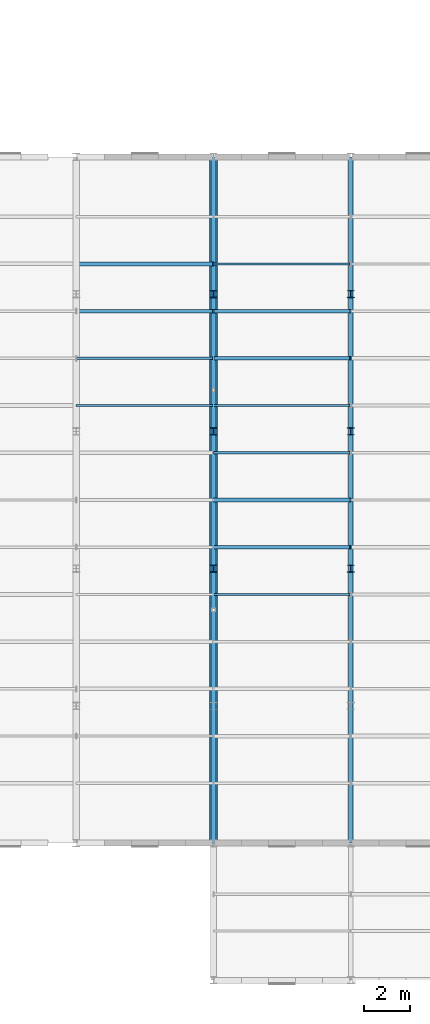
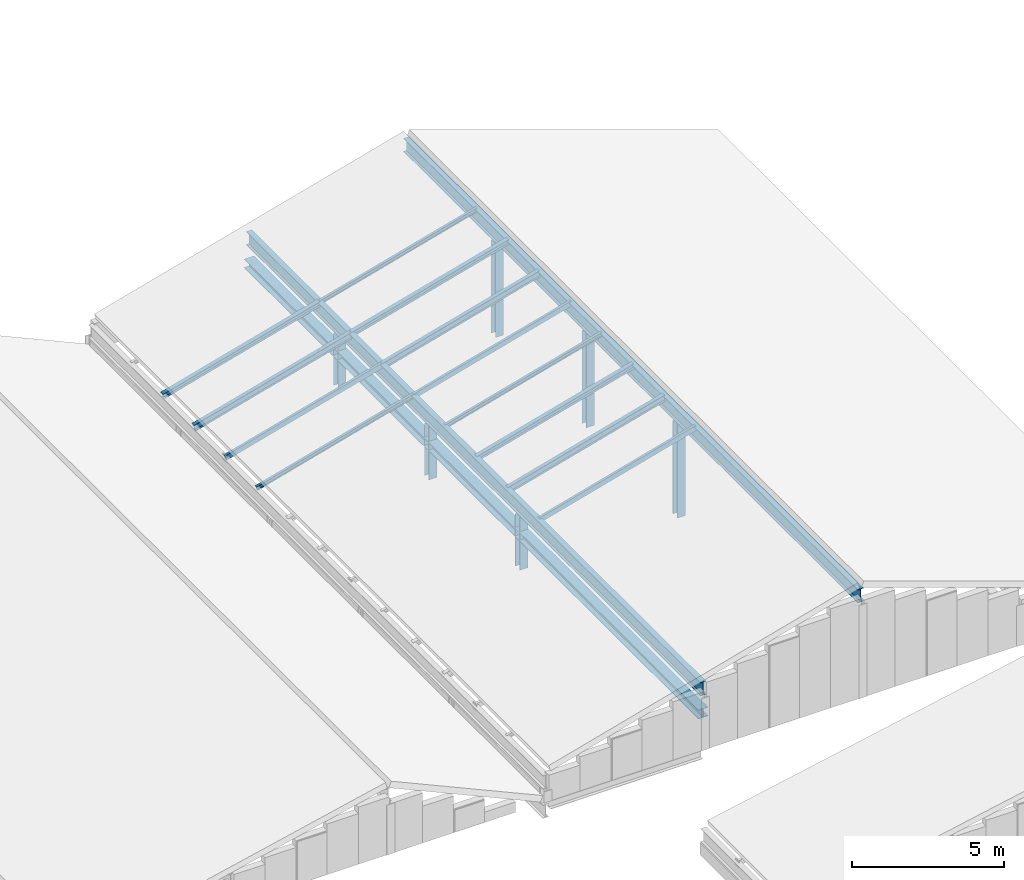
# One storey, part 12 of 74: 19 members, 2 beams.
"""IFC4 building model written with IfcOpenShell, lengths in metres."""

from ifc_helpers import new_model, si_unit, direction, frame, origin, origin_2d, place, context, subcontext, project, spatial, hollow_rectangle, i_section, extrude, material, material_profile, profile_set, type_object, element, save


model = new_model("IFC4")

# Units and contexts
model_context = context("Model", 3, precision=1e-05, world=origin(), true_north=direction((0.0, 1.0)))
body_context = subcontext(model_context, "Body", "Model", "MODEL_VIEW")
ifc_project = project(units=[si_unit("LENGTHUNIT", "METRE"), si_unit("AREAUNIT", "SQUARE_METRE"), si_unit("VOLUMEUNIT", "CUBIC_METRE"), si_unit("PLANEANGLEUNIT", "RADIAN"), si_unit("MASSUNIT", "GRAM", prefix="KILO")], contexts=[model_context])

# Site, building, storey
site_placement = place(None, origin())
site = spatial("IfcSite", under=ifc_project, at=site_placement, CompositionType="ELEMENT")
building_placement = place(site_placement, origin())
building = spatial("IfcBuilding", under=site, at=building_placement, Name="Siltcreek Boulevard Central Fire Station", CompositionType="ELEMENT")
storey_placement = place(building_placement, frame((0.0, 0.0, 25.199951171875)))
storey = spatial("IfcBuildingStorey", under=building, at=storey_placement, Name="RF", CompositionType="ELEMENT", Elevation=25.199951171875)

# Beams
ifc_material_1 = material(Name="Structural steel ASTM A992 Gr50", Category="steel")
ifc_material_profile_1 = material_profile(ifc_material_1, i_section(OverallWidth=0.2109375, OverallDepth=0.5390625, WebThickness=0.01171875, FlangeThickness=0.018798828125, at=origin_2d()), Name="W530X109")
ifc_profile_set_1 = profile_set([ifc_material_profile_1], Name="Structural steel ASTM A992 Gr50")
beam_type = type_object("IfcBeamType", Name="BM_W530X109", PredefinedType="BEAM", material=ifc_profile_set_1)
for number, where, z_axis, x_axis, name in (
    (1, (90.0, 24.010009765625, -8.831298828125), (0.0, 1.0, 0.0), (-1.0, 0.0, 0.0), "Pitched roof rafter beam RFB-023"),
    (2, (96.0, 24.010009765625, -7.18115234375), (0.0, 1.0, 0.0), (-1.0, 0.0, 0.0), "Pitched roof rafter beam RFB-024"),
):
    element("IfcBeam", number, at=place(storey_placement, frame(where, z_axis=z_axis, x_axis=x_axis)), inside=storey, type_object=beam_type, Name=name, PredefinedType="BEAM", context=body_context, shape_type="SweptSolid", body=[
        extrude(i_section(OverallWidth=0.2109375, OverallDepth=0.5390625, WebThickness=0.01171875, FlangeThickness=0.018798828125, at=origin_2d()), origin(), (0.0, 0.0, 1.0), 29.97998046875),
    ])

# Members
ifc_material_profile_2 = material_profile(ifc_material_1, i_section(OverallWidth=0.304931640625, OverallDepth=0.30810546875, WebThickness=0.010009765625, FlangeThickness=0.015380859375, at=origin_2d()), Name="W310X97")
ifc_profile_set_2 = profile_set([ifc_material_profile_2], Name="Structural steel ASTM A992 Gr50")
member_type_1 = type_object("IfcMemberType", Name="CH_W310X97", PredefinedType="CHORD", material=ifc_profile_set_2)
for number, where, z_axis, x_axis, name in (
    (3, (90.0, 36.0, -11.199951171875), (0.0, 0.0, 1.0), (1.0, 0.0, 0.0), "Roof bearing truss post 0740"),
    (4, (90.0, 42.0, -11.199951171875), (0.0, 0.0, 1.0), (1.0, 0.0, 0.0), "Roof bearing truss post 0741"),
    (5, (90.0, 48.0, -11.199951171875), (0.0, 0.0, 1.0), (1.0, 0.0, 0.0), "Roof bearing truss post 0742"),
):
    element("IfcMember", number, at=place(storey_placement, frame(where, z_axis=z_axis, x_axis=x_axis)), inside=storey, type_object=member_type_1, Name=name, PredefinedType="CHORD", context=body_context, shape_type="SweptSolid", body=[
        extrude(i_section(OverallWidth=0.304931640625, OverallDepth=0.30810546875, WebThickness=0.010009765625, FlangeThickness=0.015380859375, at=origin_2d()), origin(), (0.0, 0.0, 1.0), 2.103271484375),
    ])
for number, where, z_axis, x_axis, name in (
    (6, (96.0, 36.0, -11.199951171875), (0.0, 0.0, 1.0), (1.0, 0.0, 0.0), "Roof bearing truss post 0747"),
    (7, (96.0, 42.0, -11.199951171875), (0.0, 0.0, 1.0), (1.0, 0.0, 0.0), "Roof bearing truss post 0748"),
    (8, (96.0, 48.0, -11.199951171875), (0.0, 0.0, 1.0), (1.0, 0.0, 0.0), "Roof bearing truss post 0749"),
):
    element("IfcMember", number, at=place(storey_placement, frame(where, z_axis=z_axis, x_axis=x_axis)), inside=storey, type_object=member_type_1, Name=name, PredefinedType="CHORD", context=body_context, shape_type="SweptSolid", body=[
        extrude(i_section(OverallWidth=0.304931640625, OverallDepth=0.30810546875, WebThickness=0.010009765625, FlangeThickness=0.015380859375, at=origin_2d()), origin(), (0.0, 0.0, 1.0), 3.753173828125),
    ])
ifc_material_profile_3 = material_profile(ifc_material_1, i_section(OverallWidth=0.368896484375, OverallDepth=0.35595703125, WebThickness=0.01123046875, FlangeThickness=0.01806640625, at=origin_2d()), Name="W360X134")
ifc_profile_set_3 = profile_set([ifc_material_profile_3], Name="Structural steel ASTM A992 Gr50")
member_type_2 = type_object("IfcMemberType", Name="CH_W360X134", PredefinedType="CHORD", material=ifc_profile_set_3)
member_placement = place(storey_placement, frame((90.0, 24.010009765625, -9.82080078125), z_axis=(0.0, 1.0, 0.0), x_axis=(-1.0, 0.0, 0.0)))
element("IfcMember", 9, at=member_placement, inside=storey, type_object=member_type_2, Name="Roof truss bottom chord CH-003", PredefinedType="CHORD", context=body_context, shape_type="SweptSolid", body=[
    extrude(i_section(OverallWidth=0.368896484375, OverallDepth=0.35595703125, WebThickness=0.01123046875, FlangeThickness=0.01806640625, at=origin_2d()), origin(), (0.0, 0.0, 1.0), 29.97998046875),
])
ifc_material_2 = material(Name="Structural steel ASTM A500 GrC", Category="steel")
ifc_material_profile_4 = material_profile(ifc_material_2, hollow_rectangle(XDim=0.10009765625, YDim=0.199951171875, WallThickness=0.00634765625, at=origin_2d()), Name="HSS200X100X6.4")
ifc_profile_set_4 = profile_set([ifc_material_profile_4], Name="Structural steel ASTM A500 GrC")
member_type_3 = type_object("IfcMemberType", Name="PR_HSS200X100", PredefinedType="PURLIN", material=ifc_profile_set_4)
for number, where, z_axis, x_axis, name in (
    (10, (84.010009765625, 45.19287109375, -10.274169921875), (0.964203883152, 0.0, 0.265161972602), (0.0, 1.0, 0.0), "Sloped roof purlin PR-0123"),
    (11, (90.010009765625, 34.871337890625, -8.624267578125), (0.964203883152, 0.0, 0.265161972602), (0.0, 1.0, 0.0), "Sloped roof purlin PR-0131"),
    (12, (90.010009765625, 43.128662109375, -8.624267578125), (0.964203883152, 0.0, 0.265161972602), (0.0, 1.0, 0.0), "Sloped roof purlin PR-0135"),
):
    element("IfcMember", number, at=place(storey_placement, frame(where, z_axis=z_axis, x_axis=x_axis)), inside=storey, type_object=member_type_3, Name=name, PredefinedType="PURLIN", context=body_context, shape_type="SweptSolid", body=[
        extrude(hollow_rectangle(XDim=0.10009765625, YDim=0.199951171875, WallThickness=0.00634765625, at=origin_2d()), origin(), (0.0, 0.0, 1.0), 6.201904296875),
    ])
ifc_material_profile_5 = material_profile(ifc_material_1, i_section(OverallWidth=0.10205078125, OverallDepth=0.159912109375, WebThickness=0.006591796875, FlangeThickness=0.01025390625, at=origin_2d()), Name="W150X24")
ifc_profile_set_5 = profile_set([ifc_material_profile_5], Name="Structural steel ASTM A992 Gr50")
member_type_4 = type_object("IfcMemberType", Name="PR_W150X24", PredefinedType="PURLIN", material=ifc_profile_set_5)
for number, where, z_axis, x_axis, name in (
    (13, (84.010009765625, 43.128662109375, -10.25341796875), (0.964203883152, 0.0, 0.265161972602), (0.0, 1.0, 0.0), "Sloped roof purlin PR-0122"),
    (14, (90.010009765625, 41.064208984375, -8.603515625), (0.964203883152, 0.0, 0.265161972602), (0.0, 1.0, 0.0), "Sloped roof purlin PR-0134"),
    (15, (90.010009765625, 49.3212890625, -8.603515625), (0.964203883152, 0.0, 0.265161972602), (0.0, 1.0, 0.0), "Sloped roof purlin PR-0138"),
):
    element("IfcMember", number, at=place(storey_placement, frame(where, z_axis=z_axis, x_axis=x_axis)), inside=storey, type_object=member_type_4, Name=name, PredefinedType="PURLIN", context=body_context, shape_type="SweptSolid", body=[
        extrude(i_section(OverallWidth=0.10205078125, OverallDepth=0.159912109375, WebThickness=0.006591796875, FlangeThickness=0.01025390625, at=origin_2d()), origin(), (0.0, 0.0, 1.0), 6.201904296875),
    ])
ifc_material_profile_6 = material_profile(ifc_material_1, i_section(OverallWidth=0.1650390625, OverallDepth=0.200927734375, WebThickness=0.006103515625, FlangeThickness=0.01025390625, at=origin_2d()), Name="W200X36")
ifc_profile_set_6 = profile_set([ifc_material_profile_6], Name="Structural steel ASTM A992 Gr50")
member_type_5 = type_object("IfcMemberType", Name="PR_W200X36", PredefinedType="PURLIN", material=ifc_profile_set_6)
for number, where, z_axis, x_axis, name in (
    (16, (84.010009765625, 49.3212890625, -10.274658203125), (0.964203883152, 0.0, 0.265161972602), (0.0, 1.0, 0.0), "Sloped roof purlin PR-0125"),
    (17, (90.010009765625, 39.0, -8.624755859375), (0.964203883152, 0.0, 0.265161972602), (0.0, 1.0, 0.0), "Sloped roof purlin PR-0133"),
    (18, (90.010009765625, 47.257080078125, -8.624755859375), (0.964203883152, 0.0, 0.265161972602), (0.0, 1.0, 0.0), "Sloped roof purlin PR-0137"),
):
    element("IfcMember", number, at=place(storey_placement, frame(where, z_axis=z_axis, x_axis=x_axis)), inside=storey, type_object=member_type_5, Name=name, PredefinedType="PURLIN", context=body_context, shape_type="SweptSolid", body=[
        extrude(i_section(OverallWidth=0.1650390625, OverallDepth=0.200927734375, WebThickness=0.006103515625, FlangeThickness=0.01025390625, at=origin_2d()), origin(), (0.0, 0.0, 1.0), 6.201904296875),
    ])
ifc_material_profile_7 = material_profile(ifc_material_1, i_section(OverallWidth=0.14697265625, OverallDepth=0.261962890625, WebThickness=0.006591796875, FlangeThickness=0.01123046875, at=origin_2d()), Name="W250X39")
ifc_profile_set_7 = profile_set([ifc_material_profile_7], Name="Structural steel ASTM A992 Gr50")
member_type_6 = type_object("IfcMemberType", Name="PR_W250X39", PredefinedType="PURLIN", material=ifc_profile_set_7)
for number, where, z_axis, x_axis, name in (
    (19, (84.010009765625, 47.257080078125, -10.306396484375), (0.964203883152, 0.0, 0.265161972602), (0.0, 1.0, 0.0), "Sloped roof purlin PR-0124"),
    (20, (90.010009765625, 36.935791015625, -8.65625), (0.964213946995, 0.0, 0.265125374909), (0.0, 1.0, 0.0), "Sloped roof purlin PR-0132"),
    (21, (90.010009765625, 45.19287109375, -8.65625), (0.964213946995, 0.0, 0.265125374909), (0.0, 1.0, 0.0), "Sloped roof purlin PR-0136"),
):
    element("IfcMember", number, at=place(storey_placement, frame(where, z_axis=z_axis, x_axis=x_axis)), inside=storey, type_object=member_type_6, Name=name, PredefinedType="PURLIN", context=body_context, shape_type="SweptSolid", body=[
        extrude(i_section(OverallWidth=0.14697265625, OverallDepth=0.261962890625, WebThickness=0.006591796875, FlangeThickness=0.01123046875, at=origin_2d()), origin(), (0.0, 0.0, 1.0), 6.201904296875),
    ])

save(model, "model.ifc")
